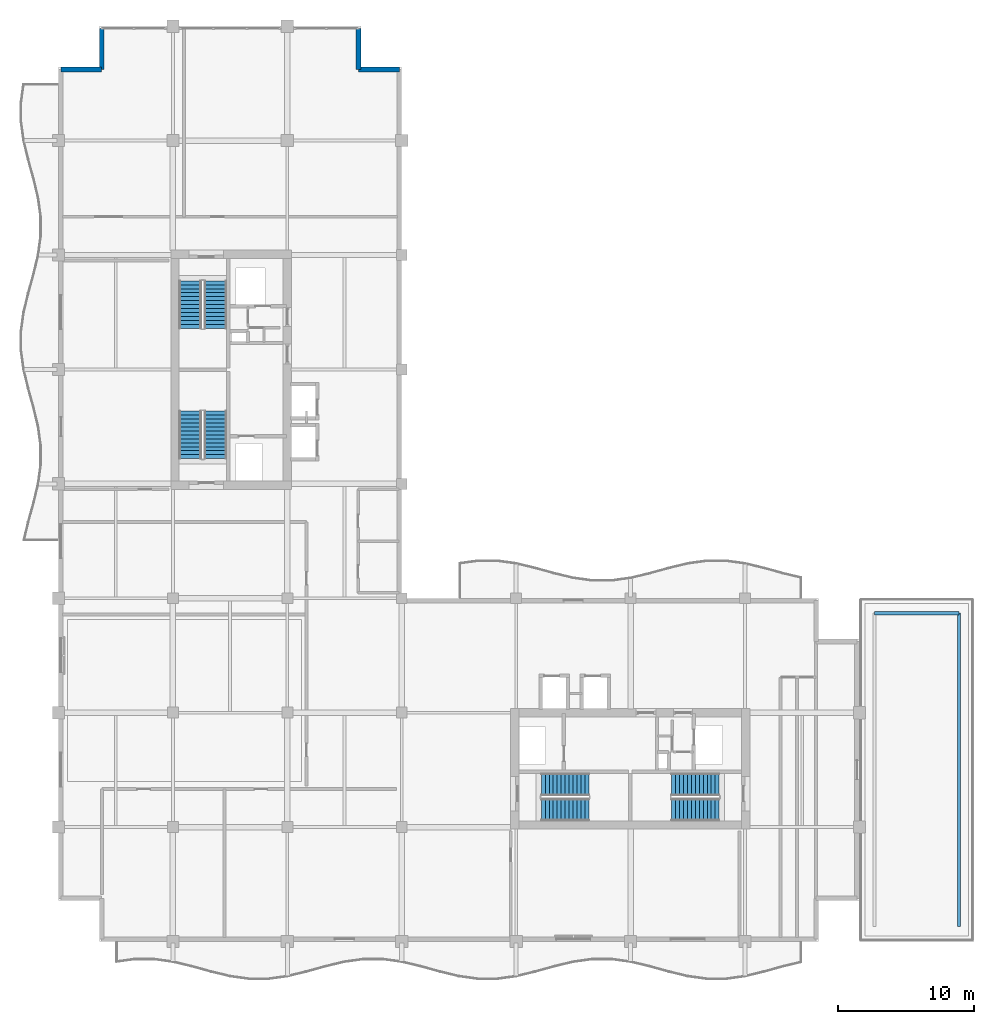
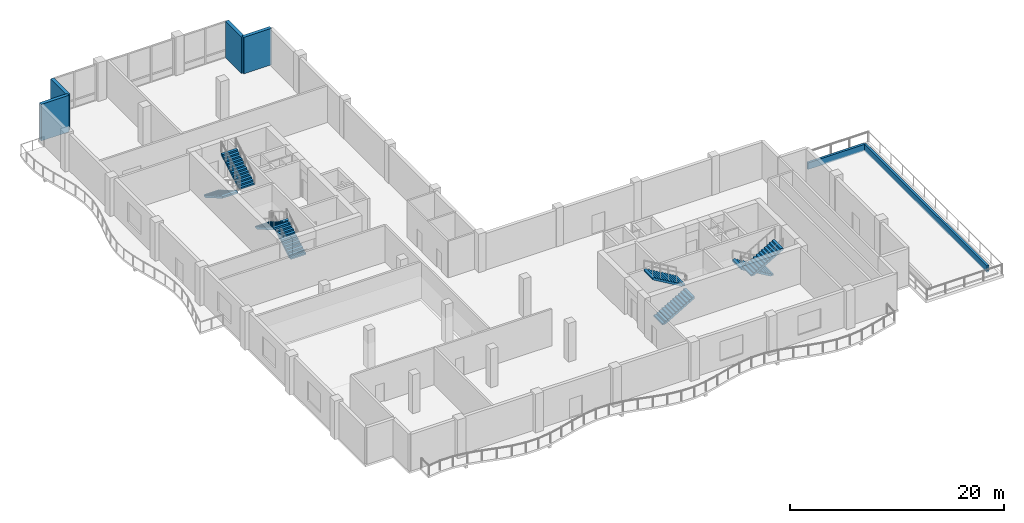
# One storey, part 10 of 16: 8 stair flights, 6 walls, 4 elements without a shape of their own.
"""IFC4 building model written with IfcOpenShell, lengths in metres."""

from ifc_helpers import new_model, si_unit, direction, frame, frame_2d, origin, place, context, subcontext, project, spatial, polyline, rectangle, outline, extrude, material, layer, layer_set, type_object, element, aggregate, save


model = new_model("IFC4")

# Units and contexts
model_context = context("Model", 3, precision=1e-05, world=origin(), true_north=direction((0.0, 1.0)))
body_context = subcontext(model_context, "Body", "Model", "MODEL_VIEW")
ifc_project = project(units=[si_unit("LENGTHUNIT", "METRE"), si_unit("AREAUNIT", "SQUARE_METRE"), si_unit("VOLUMEUNIT", "CUBIC_METRE"), si_unit("PLANEANGLEUNIT", "RADIAN"), si_unit("MASSUNIT", "GRAM", prefix="KILO")], contexts=[model_context])

# Site, building, storey
site_placement = place(None, origin())
site = spatial("IfcSite", under=ifc_project, at=site_placement, CompositionType="ELEMENT")
building_placement = place(site_placement, origin())
building = spatial("IfcBuilding", under=site, at=building_placement, Name="Koriwani Terraces Tower", CompositionType="ELEMENT")
storey_placement = place(building_placement, frame((0.0, 0.0, 286.0)))
storey = spatial("IfcBuildingStorey", under=building, at=storey_placement, Name="L71", CompositionType="ELEMENT", Elevation=286.0)

# Walls
ifc_material_1 = material(Name="Concrete C50/60", Category="concrete")
ifc_layer_1 = layer(ifc_material_1, 0.35009765625, Name="Concrete C50/60")
ifc_layer_set_1 = layer_set([ifc_layer_1], Name="Concrete C50/60")
wall_type_1 = type_object("IfcWallType", Name="WALL_EXT_BRUTALIST_350", PredefinedType="STANDARD", material=ifc_layer_set_1)
for number, where, z_axis, x_axis, name in (
    (1, (8.574951171875, 72.425048828125, 0.0), (0.0, 0.0, 1.0), (1.0, 0.0, 0.0), "L71 Fair-Faced Brutalist Exterior Wall (N3)"),
    (2, (11.574951171875, 72.425048828125, 0.0), (0.0, 0.0, 1.0), (0.0, 1.0, 0.0), "L71 Fair-Faced Brutalist Exterior Wall (N4)"),
    (3, (30.425048828125, 75.425048828125, 0.0), (0.0, 0.0, 1.0), (0.0, -1.0, 0.0), "L71 Fair-Faced Brutalist Exterior Wall (N6)"),
    (4, (30.425048828125, 72.425048828125, 0.0), (0.0, 0.0, 1.0), (1.0, 0.0, 0.0), "L71 Fair-Faced Brutalist Exterior Wall (N7)"),
):
    element("IfcWall", number, at=place(storey_placement, frame(where, z_axis=z_axis, x_axis=x_axis)), inside=storey, type_object=wall_type_1, Name=name, PredefinedType="STANDARD", context=body_context, shape_type="SweptSolid", body=[
        extrude(rectangle(XDim=3.0, YDim=0.35009765625, at=frame_2d((1.5, 0.0))), origin(), (0.0, 0.0, 1.0), 4.169921875),
    ])
ifc_material_2 = material(Name="Concrete C40/50", Category="concrete")
ifc_layer_2 = layer(ifc_material_2, 0.239990234375, Name="Concrete C40/50")
ifc_layer_set_2 = layer_set([ifc_layer_2], Name="Concrete C40/50")
wall_type_2 = type_object("IfcWallType", Name="WALL_TERRACE_PLANTER_240", PredefinedType="USERDEFINED", material=ifc_layer_set_2)
wall_1_placement = place(storey_placement, frame((68.300048828125, 32.5, 0.0), z_axis=(0.0, 0.0, 1.0), x_axis=(1.0, 0.0, 0.0)))
element("IfcWall", 5, at=wall_1_placement, inside=storey, type_object=wall_type_2, Name="L71 Sky-Garden Planted Terrace Planter Wall 2", ObjectType="PLANTER", PredefinedType="USERDEFINED", context=body_context, shape_type="SweptSolid", body=[
    extrude(rectangle(XDim=6.199951171875, YDim=0.239990234375, at=frame_2d((3.10009765625, 0.0))), origin(), (0.0, 0.0, 1.0), 0.75),
])
wall_2_placement = place(storey_placement, frame((74.5, 32.5, 0.0), z_axis=(0.0, 0.0, 1.0), x_axis=(0.0, -1.0, 0.0)))
element("IfcWall", 6, at=wall_2_placement, inside=storey, type_object=wall_type_2, Name="L71 Sky-Garden Planted Terrace Planter Wall 3", ObjectType="PLANTER", PredefinedType="USERDEFINED", context=body_context, shape_type="SweptSolid", body=[
    extrude(rectangle(XDim=23.0, YDim=0.239990234375, at=frame_2d((11.5, 0.0))), origin(), (0.0, 0.0, 1.0), 0.75),
])

# Stair, stair flights
stair_type = type_object("IfcStairType", Name="STAIR_CORE_DOGLEG_1650", PredefinedType="TWO_STRAIGHT_RUN_STAIR", material=ifc_material_2)
stair_1_placement = place(storey_placement, origin())
stair_1 = element("IfcStair", 7, at=stair_1_placement, inside=storey, type_object=stair_type, Name="L71 West Core Exit Stair 1", PredefinedType="HALF_TURN_STAIR")
stair_flight_type = type_object("IfcStairFlightType", Name="STAIR_FLIGHT_RC_1650", PredefinedType="STRAIGHT", material=ifc_material_2)
stair_flight_1_placement = place(storey_placement, frame((19.925048828125, 43.85009765625, 0.0), z_axis=(0.0, 0.0, 1.0), x_axis=(0.0, 1.0, 0.0)))
stair_flight_1 = element("IfcStairFlight", 8, at=stair_flight_1_placement, type_object=stair_flight_type, Name="ST-W1 flight 1", NumberOfRisers=13, NumberOfTreads=12, PredefinedType="STRAIGHT", RiserHeight=0.169230769, TreadLength=0.29, context=body_context, shape_type="SweptSolid", body=[
    extrude(outline(polyline([(0.0, 0.0), (0.0, 0.169189453125), (0.2900390625, 0.169189453125), (0.2900390625, 0.33837890625), (0.580078125, 0.33837890625), (0.580078125, 0.5078125), (0.8701171875, 0.5078125), (0.8701171875, 0.677001953125), (1.159912109375, 0.677001953125), (1.159912109375, 0.84619140625), (1.449951171875, 0.84619140625), (1.449951171875, 1.015380859375), (1.739990234375, 1.015380859375), (1.739990234375, 1.1845703125), (2.030029296875, 1.1845703125), (2.030029296875, 1.353759765625), (2.320068359375, 1.353759765625), (2.320068359375, 1.523193359375), (2.610107421875, 1.523193359375), (2.610107421875, 1.6923828125), (2.89990234375, 1.6923828125), (2.89990234375, 1.861572265625), (3.18994140625, 1.861572265625), (3.18994140625, 2.03076171875), (3.47998046875, 2.03076171875), (3.47998046875, 2.199951171875), (3.47998046875, 1.822509765625), (0.35693359375, 0.0), (0.0, 0.0)])), frame((0.0, 0.824951171875, 0.0), z_axis=(0.0, -1.0, 0.0), x_axis=(1.0, 0.0, 0.0)), (0.0, 0.0, 1.0), 1.64990234375),
])
stair_flight_2_placement = place(storey_placement, frame((18.074951171875, 47.330078125, 2.199951171875), z_axis=(0.0, 0.0, 1.0), x_axis=(0.0, -1.0, 0.0)))
stair_flight_2 = element("IfcStairFlight", 9, at=stair_flight_2_placement, type_object=stair_flight_type, Name="ST-W1 flight 2", NumberOfRisers=13, NumberOfTreads=12, PredefinedType="STRAIGHT", RiserHeight=0.169230769, TreadLength=0.29, context=body_context, shape_type="SweptSolid", body=[
    extrude(outline(polyline([(0.0, 0.0), (0.0, 0.169189453125), (0.2900390625, 0.169189453125), (0.2900390625, 0.33837890625), (0.580078125, 0.33837890625), (0.580078125, 0.5078125), (0.8701171875, 0.5078125), (0.8701171875, 0.677001953125), (1.159912109375, 0.677001953125), (1.159912109375, 0.84619140625), (1.449951171875, 0.84619140625), (1.449951171875, 1.015380859375), (1.739990234375, 1.015380859375), (1.739990234375, 1.1845703125), (2.030029296875, 1.1845703125), (2.030029296875, 1.353759765625), (2.320068359375, 1.353759765625), (2.320068359375, 1.523193359375), (2.610107421875, 1.523193359375), (2.610107421875, 1.6923828125), (2.89990234375, 1.6923828125), (2.89990234375, 1.861572265625), (3.18994140625, 1.861572265625), (3.18994140625, 2.03076171875), (3.47998046875, 2.03076171875), (3.47998046875, 2.199951171875), (3.47998046875, 1.822509765625), (0.35693359375, 0.0), (0.0, 0.0)])), frame((0.0, 0.824951171875, 0.0), z_axis=(0.0, -1.0, 0.0), x_axis=(1.0, 0.0, 0.0)), (0.0, 0.0, 1.0), 1.64990234375),
])
aggregate(stair_1, [stair_flight_1, stair_flight_2])

stair_2_placement = place(storey_placement, origin())
stair_2 = element("IfcStair", 10, at=stair_2_placement, inside=storey, type_object=stair_type, Name="L71 West Core Exit Stair 2", PredefinedType="HALF_TURN_STAIR")
stair_flight_3_placement = place(storey_placement, frame((18.074951171875, 56.89990234375, 0.0), z_axis=(0.0, 0.0, 1.0), x_axis=(0.0, -1.0, 0.0)))
stair_flight_3 = element("IfcStairFlight", 11, at=stair_flight_3_placement, type_object=stair_flight_type, Name="ST-W2 flight 1", NumberOfRisers=13, NumberOfTreads=12, PredefinedType="STRAIGHT", RiserHeight=0.169230769, TreadLength=0.29, context=body_context, shape_type="SweptSolid", body=[
    extrude(outline(polyline([(0.0, 0.0), (0.0, 0.169189453125), (0.2900390625, 0.169189453125), (0.2900390625, 0.33837890625), (0.580078125, 0.33837890625), (0.580078125, 0.5078125), (0.8701171875, 0.5078125), (0.8701171875, 0.677001953125), (1.159912109375, 0.677001953125), (1.159912109375, 0.84619140625), (1.449951171875, 0.84619140625), (1.449951171875, 1.015380859375), (1.739990234375, 1.015380859375), (1.739990234375, 1.1845703125), (2.030029296875, 1.1845703125), (2.030029296875, 1.353759765625), (2.320068359375, 1.353759765625), (2.320068359375, 1.523193359375), (2.610107421875, 1.523193359375), (2.610107421875, 1.6923828125), (2.89990234375, 1.6923828125), (2.89990234375, 1.861572265625), (3.18994140625, 1.861572265625), (3.18994140625, 2.03076171875), (3.47998046875, 2.03076171875), (3.47998046875, 2.199951171875), (3.47998046875, 1.822509765625), (0.35693359375, 0.0), (0.0, 0.0)])), frame((0.0, 0.824951171875, 0.0), z_axis=(0.0, -1.0, 0.0), x_axis=(1.0, 0.0, 0.0)), (0.0, 0.0, 1.0), 1.64990234375),
])
stair_flight_4_placement = place(storey_placement, frame((19.925048828125, 53.419921875, 2.199951171875), z_axis=(0.0, 0.0, 1.0), x_axis=(0.0, 1.0, 0.0)))
stair_flight_4 = element("IfcStairFlight", 12, at=stair_flight_4_placement, type_object=stair_flight_type, Name="ST-W2 flight 2", NumberOfRisers=13, NumberOfTreads=12, PredefinedType="STRAIGHT", RiserHeight=0.169230769, TreadLength=0.29, context=body_context, shape_type="SweptSolid", body=[
    extrude(outline(polyline([(0.0, 0.0), (0.0, 0.169189453125), (0.2900390625, 0.169189453125), (0.2900390625, 0.33837890625), (0.580078125, 0.33837890625), (0.580078125, 0.5078125), (0.8701171875, 0.5078125), (0.8701171875, 0.677001953125), (1.159912109375, 0.677001953125), (1.159912109375, 0.84619140625), (1.449951171875, 0.84619140625), (1.449951171875, 1.015380859375), (1.739990234375, 1.015380859375), (1.739990234375, 1.1845703125), (2.030029296875, 1.1845703125), (2.030029296875, 1.353759765625), (2.320068359375, 1.353759765625), (2.320068359375, 1.523193359375), (2.610107421875, 1.523193359375), (2.610107421875, 1.6923828125), (2.89990234375, 1.6923828125), (2.89990234375, 1.861572265625), (3.18994140625, 1.861572265625), (3.18994140625, 2.03076171875), (3.47998046875, 2.03076171875), (3.47998046875, 2.199951171875), (3.47998046875, 1.822509765625), (0.35693359375, 0.0), (0.0, 0.0)])), frame((0.0, 0.824951171875, 0.0), z_axis=(0.0, -1.0, 0.0), x_axis=(1.0, 0.0, 0.0)), (0.0, 0.0, 1.0), 1.64990234375),
])
aggregate(stair_2, [stair_flight_3, stair_flight_4])

stair_3_placement = place(storey_placement, origin())
stair_3 = element("IfcStair", 13, at=stair_3_placement, inside=storey, type_object=stair_type, Name="L71 East Core Exit Stair 1", PredefinedType="HALF_TURN_STAIR")
stair_flight_5_placement = place(storey_placement, frame((43.85009765625, 18.074951171875, 0.0), z_axis=(0.0, 0.0, 1.0), x_axis=(1.0, 0.0, 0.0)))
stair_flight_5 = element("IfcStairFlight", 14, at=stair_flight_5_placement, type_object=stair_flight_type, Name="ST-E1 flight 1", NumberOfRisers=13, NumberOfTreads=12, PredefinedType="STRAIGHT", RiserHeight=0.169230769, TreadLength=0.29, context=body_context, shape_type="SweptSolid", body=[
    extrude(outline(polyline([(0.0, 0.0), (0.0, 0.169189453125), (0.2900390625, 0.169189453125), (0.2900390625, 0.33837890625), (0.580078125, 0.33837890625), (0.580078125, 0.5078125), (0.8701171875, 0.5078125), (0.8701171875, 0.677001953125), (1.159912109375, 0.677001953125), (1.159912109375, 0.84619140625), (1.449951171875, 0.84619140625), (1.449951171875, 1.015380859375), (1.739990234375, 1.015380859375), (1.739990234375, 1.1845703125), (2.030029296875, 1.1845703125), (2.030029296875, 1.353759765625), (2.320068359375, 1.353759765625), (2.320068359375, 1.523193359375), (2.610107421875, 1.523193359375), (2.610107421875, 1.6923828125), (2.89990234375, 1.6923828125), (2.89990234375, 1.861572265625), (3.18994140625, 1.861572265625), (3.18994140625, 2.03076171875), (3.47998046875, 2.03076171875), (3.47998046875, 2.199951171875), (3.47998046875, 1.822509765625), (0.35693359375, 0.0), (0.0, 0.0)])), frame((0.0, 0.824951171875, 0.0), z_axis=(0.0, -1.0, 0.0), x_axis=(1.0, 0.0, 0.0)), (0.0, 0.0, 1.0), 1.64990234375),
])
stair_flight_6_placement = place(storey_placement, frame((47.330078125, 19.925048828125, 2.199951171875), z_axis=(0.0, 0.0, 1.0), x_axis=(-1.0, 0.0, 0.0)))
stair_flight_6 = element("IfcStairFlight", 15, at=stair_flight_6_placement, type_object=stair_flight_type, Name="ST-E1 flight 2", NumberOfRisers=13, NumberOfTreads=12, PredefinedType="STRAIGHT", RiserHeight=0.169230769, TreadLength=0.29, context=body_context, shape_type="SweptSolid", body=[
    extrude(outline(polyline([(0.0, 0.0), (0.0, 0.169189453125), (0.2900390625, 0.169189453125), (0.2900390625, 0.33837890625), (0.580078125, 0.33837890625), (0.580078125, 0.5078125), (0.8701171875, 0.5078125), (0.8701171875, 0.677001953125), (1.159912109375, 0.677001953125), (1.159912109375, 0.84619140625), (1.449951171875, 0.84619140625), (1.449951171875, 1.015380859375), (1.739990234375, 1.015380859375), (1.739990234375, 1.1845703125), (2.030029296875, 1.1845703125), (2.030029296875, 1.353759765625), (2.320068359375, 1.353759765625), (2.320068359375, 1.523193359375), (2.610107421875, 1.523193359375), (2.610107421875, 1.6923828125), (2.89990234375, 1.6923828125), (2.89990234375, 1.861572265625), (3.18994140625, 1.861572265625), (3.18994140625, 2.03076171875), (3.47998046875, 2.03076171875), (3.47998046875, 2.199951171875), (3.47998046875, 1.822509765625), (0.35693359375, 0.0), (0.0, 0.0)])), frame((0.0, 0.824951171875, 0.0), z_axis=(0.0, -1.0, 0.0), x_axis=(1.0, 0.0, 0.0)), (0.0, 0.0, 1.0), 1.64990234375),
])
aggregate(stair_3, [stair_flight_5, stair_flight_6])

stair_4_placement = place(storey_placement, origin())
stair_4 = element("IfcStair", 16, at=stair_4_placement, inside=storey, type_object=stair_type, Name="L71 East Core Exit Stair 2", PredefinedType="HALF_TURN_STAIR")
stair_flight_7_placement = place(storey_placement, frame((56.89990234375, 19.925048828125, 0.0), z_axis=(0.0, 0.0, 1.0), x_axis=(-1.0, 0.0, 0.0)))
stair_flight_7 = element("IfcStairFlight", 17, at=stair_flight_7_placement, type_object=stair_flight_type, Name="ST-E2 flight 1", NumberOfRisers=13, NumberOfTreads=12, PredefinedType="STRAIGHT", RiserHeight=0.169230769, TreadLength=0.29, context=body_context, shape_type="SweptSolid", body=[
    extrude(outline(polyline([(0.0, 0.0), (0.0, 0.169189453125), (0.2900390625, 0.169189453125), (0.2900390625, 0.33837890625), (0.580078125, 0.33837890625), (0.580078125, 0.5078125), (0.8701171875, 0.5078125), (0.8701171875, 0.677001953125), (1.159912109375, 0.677001953125), (1.159912109375, 0.84619140625), (1.449951171875, 0.84619140625), (1.449951171875, 1.015380859375), (1.739990234375, 1.015380859375), (1.739990234375, 1.1845703125), (2.030029296875, 1.1845703125), (2.030029296875, 1.353759765625), (2.320068359375, 1.353759765625), (2.320068359375, 1.523193359375), (2.610107421875, 1.523193359375), (2.610107421875, 1.6923828125), (2.89990234375, 1.6923828125), (2.89990234375, 1.861572265625), (3.18994140625, 1.861572265625), (3.18994140625, 2.03076171875), (3.47998046875, 2.03076171875), (3.47998046875, 2.199951171875), (3.47998046875, 1.822509765625), (0.35693359375, 0.0), (0.0, 0.0)])), frame((0.0, 0.824951171875, 0.0), z_axis=(0.0, -1.0, 0.0), x_axis=(1.0, 0.0, 0.0)), (0.0, 0.0, 1.0), 1.64990234375),
])
stair_flight_8_placement = place(storey_placement, frame((53.419921875, 18.074951171875, 2.199951171875), z_axis=(0.0, 0.0, 1.0), x_axis=(1.0, 0.0, 0.0)))
stair_flight_8 = element("IfcStairFlight", 18, at=stair_flight_8_placement, type_object=stair_flight_type, Name="ST-E2 flight 2", NumberOfRisers=13, NumberOfTreads=12, PredefinedType="STRAIGHT", RiserHeight=0.169230769, TreadLength=0.29, context=body_context, shape_type="SweptSolid", body=[
    extrude(outline(polyline([(0.0, 0.0), (0.0, 0.169189453125), (0.2900390625, 0.169189453125), (0.2900390625, 0.33837890625), (0.580078125, 0.33837890625), (0.580078125, 0.5078125), (0.8701171875, 0.5078125), (0.8701171875, 0.677001953125), (1.159912109375, 0.677001953125), (1.159912109375, 0.84619140625), (1.449951171875, 0.84619140625), (1.449951171875, 1.015380859375), (1.739990234375, 1.015380859375), (1.739990234375, 1.1845703125), (2.030029296875, 1.1845703125), (2.030029296875, 1.353759765625), (2.320068359375, 1.353759765625), (2.320068359375, 1.523193359375), (2.610107421875, 1.523193359375), (2.610107421875, 1.6923828125), (2.89990234375, 1.6923828125), (2.89990234375, 1.861572265625), (3.18994140625, 1.861572265625), (3.18994140625, 2.03076171875), (3.47998046875, 2.03076171875), (3.47998046875, 2.199951171875), (3.47998046875, 1.822509765625), (0.35693359375, 0.0), (0.0, 0.0)])), frame((0.0, 0.824951171875, 0.0), z_axis=(0.0, -1.0, 0.0), x_axis=(1.0, 0.0, 0.0)), (0.0, 0.0, 1.0), 1.64990234375),
])
aggregate(stair_4, [stair_flight_7, stair_flight_8])

save(model, "model.ifc")
